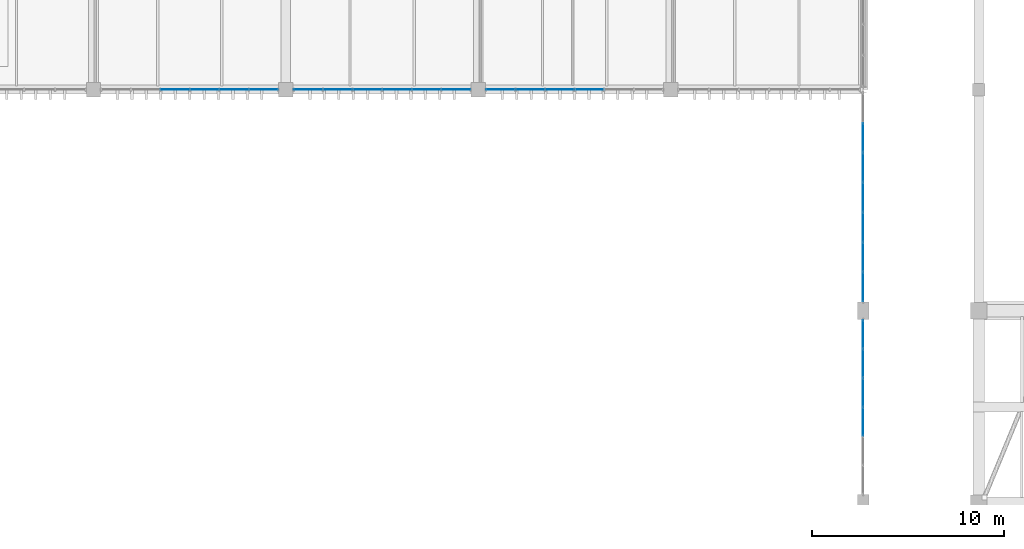
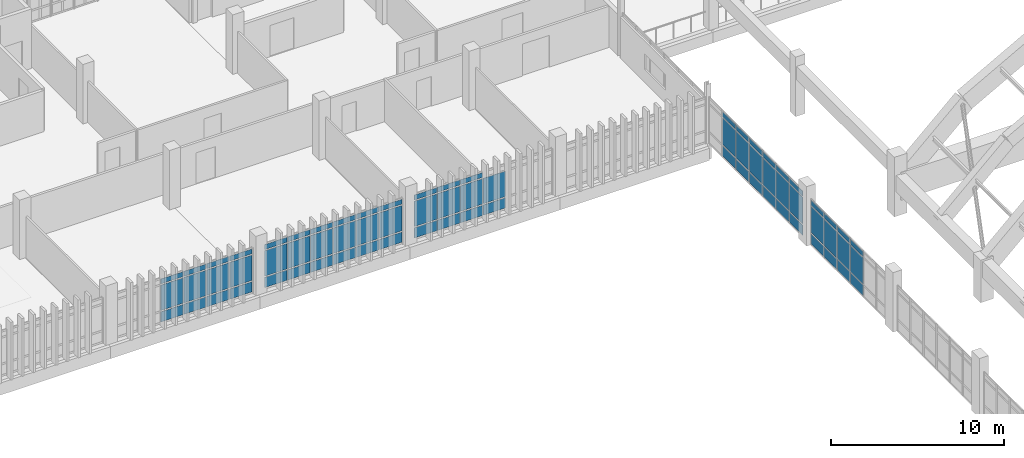
# One storey, part 95 of 111: 71 plates, 5 elements without a shape of their own.
"""IFC4 building model written with IfcOpenShell, lengths in metres."""

import ifcopenshell
import ifcopenshell.guid

model = None  # the IFC model being written
_history = None  # IfcOwnerHistory: only IFC2X3 demands one
_inside = {}  # id of a spatial element -> (the spatial element, [elements in it])
_under = {}  # id of a project, library or spatial element -> (it, [spatial elements below it])
_declared = {}  # id of a project -> (the project, [libraries it declares])
_typed = {}  # id of a type object -> (the type object, [elements of that type])
_made_of = {}  # id of a material, layer set ... -> (it, [elements and type objects made of it])


def new_model(schema):
    """Start an empty IFC model of exactly this schema.

    Asked for "IFC4X3", IfcOpenShell would pick the latest addendum, in which some entities
    have other attributes; the version numbers below select the first issue.
    IFC2X3 requires an IfcOwnerHistory on every rooted entity: one is made here for all.
    """
    global model, _history
    if schema == "IFC4X3":
        model = ifcopenshell.file(schema_version=(4, 3, 0, 0))
    else:
        model = ifcopenshell.file(schema=schema)
    _inside.clear()
    _under.clear()
    _declared.clear()
    _typed.clear()
    _made_of.clear()
    _history = None
    if model.schema == "IFC2X3":
        org = make("IfcOrganization", Name="unknown")
        user = make(
            "IfcPersonAndOrganization",
            ThePerson=make("IfcPerson", FamilyName="unknown"),
            TheOrganization=org,
        )
        app = make(
            "IfcApplication",
            ApplicationDeveloper=org,
            Version="unknown",
            ApplicationFullName="unknown",
            ApplicationIdentifier="unknown",
        )
        _history = make(
            "IfcOwnerHistory",
            OwningUser=user,
            OwningApplication=app,
            ChangeAction="ADDED",
            CreationDate=0,
        )
    return model


def make(cls, **values):
    """One entity of the class cls with the attributes given. An attribute that is None is left unset."""
    return model.create_entity(
        cls, **{name: value for name, value in values.items() if value is not None}
    )


def rooted(cls, **values):
    """An entity with a GlobalId (a new one), such as an element, a storey or a relation."""
    return make(cls, GlobalId=ifcopenshell.guid.new(), OwnerHistory=_history, **values)


def si_unit(unit_type, name, prefix=None):
    """IfcSIUnit, for example si_unit("LENGTHUNIT", "METRE", prefix="MILLI")."""
    return make("IfcSIUnit", UnitType=unit_type, Prefix=prefix, Name=name)


def assignment(units):
    """IfcUnitAssignment: the units of a project."""
    return None if units is None else make("IfcUnitAssignment", Units=units)


def point(xyz):
    """IfcCartesianPoint."""
    return None if xyz is None else make("IfcCartesianPoint", Coordinates=xyz)


def direction(xyz):
    """IfcDirection."""
    return None if xyz is None else make("IfcDirection", DirectionRatios=xyz)


def frame(location, z_axis=None, x_axis=None):
    """IfcAxis2Placement3D, a coordinate frame: its origin and axes. An axis left out is left unset."""
    return make(
        "IfcAxis2Placement3D",
        Location=point(location),
        Axis=direction(z_axis),
        RefDirection=direction(x_axis),
    )


def frame_2d(location, x_axis=None):
    """IfcAxis2Placement2D, a coordinate frame in the plane: its origin and x axis."""
    return make(
        "IfcAxis2Placement2D", Location=point(location), RefDirection=direction(x_axis)
    )


def origin():
    """The frame at (0, 0, 0) with its axes left unset."""
    return frame((0.0, 0.0, 0.0))


def origin_2d():
    """The frame at (0, 0) in the plane with its x axis left unset."""
    return frame_2d((0.0, 0.0))


def place(relative_to, where):
    """IfcLocalPlacement: puts the frame where relative to a parent placement (None: the world)."""
    return make(
        "IfcLocalPlacement", PlacementRelTo=relative_to, RelativePlacement=where
    )


def context(
    kind, dimensions, precision=None, world=None, true_north=None, identifier=None
):
    """IfcGeometricRepresentationContext, for example the 3D "Model" context."""
    return make(
        "IfcGeometricRepresentationContext",
        ContextIdentifier=identifier,
        ContextType=kind,
        CoordinateSpaceDimension=dimensions,
        Precision=precision,
        WorldCoordinateSystem=world,
        TrueNorth=true_north,
    )


def subcontext(parent, identifier, kind, view, scale=None):
    """IfcGeometricRepresentationSubContext, for example "Body" below "Model"."""
    return make(
        "IfcGeometricRepresentationSubContext",
        ContextIdentifier=identifier,
        ContextType=kind,
        ParentContext=parent,
        TargetScale=scale,
        TargetView=view,
    )


def project(units=None, contexts=None):
    """IfcProject with its units and contexts."""
    return rooted(
        "IfcProject",
        Name="project",
        RepresentationContexts=contexts,
        UnitsInContext=assignment(units),
    )


def spatial(cls, under=None, at=None, **own):
    """A site, building, storey or space (cls), placed at a placement, below another one or the project."""
    s = rooted(cls, ObjectPlacement=at, **own)
    if under is not None:
        _under.setdefault(under.id(), (under, []))[1].append(s)
    return s


def profile(cls, at=None, kind="AREA", **sizes):
    """A parametric profile (cls). Its sizes go by their IFC names, for example OverallWidth=200.0."""
    return make(cls, ProfileType=kind, Position=at, **sizes)


def rectangle(**sizes):
    """IfcRectangleProfileDef."""
    return profile("IfcRectangleProfileDef", **sizes)


def extrude(swept, where, along, depth):
    """IfcExtrudedAreaSolid: the profile swept, set in the frame where, extruded along a direction by depth."""
    return make(
        "IfcExtrudedAreaSolid",
        SweptArea=swept,
        Position=where,
        ExtrudedDirection=direction(along),
        Depth=depth,
    )


def shape(context_of_items, identifier, shape_type, items):
    """IfcShapeRepresentation: the items that make up one representation, for example the "Body"."""
    return make(
        "IfcShapeRepresentation",
        ContextOfItems=context_of_items,
        RepresentationIdentifier=identifier,
        RepresentationType=shape_type,
        Items=items,
    )


def material(Name=None, Category=None):
    """IfcMaterial."""
    return make("IfcMaterial", Name=Name, Category=Category)


def layer(
    of_material, thickness, ventilated=None, Name=None, Category=None, Priority=None
):
    """IfcMaterialLayer: one layer of a wall or slab, of a material (None: an air gap)."""
    return make(
        "IfcMaterialLayer",
        Material=of_material,
        LayerThickness=thickness,
        IsVentilated=ventilated,
        Name=Name,
        Category=Category,
        Priority=Priority,
    )


def layer_set(layers, Name=None):
    """IfcMaterialLayerSet."""
    return make("IfcMaterialLayerSet", MaterialLayers=layers, LayerSetName=Name)


def made_of(thing, what):
    """Note that an element or type object is made of a material, layer set ...; save() writes the relation."""
    if what is not None:
        _made_of.setdefault(what.id(), (what, []))[1].append(thing)
    return thing


def type_object(cls, material=None, **own):
    """A type object (cls), such as IfcWallType, which elements share."""
    return made_of(rooted(cls, **own), material)


def element(
    cls,
    number,
    at=None,
    inside=None,
    cuts=None,
    type_object=None,
    material=None,
    context=None,
    identifier="Body",
    shape_type=None,
    held_by="IfcProductDefinitionShape",
    body=None,
    shapes=None,
    **own,
):
    """One element of the class cls, such as IfcWall. Its Tag is "e" and its number.

    at: its placement. inside: the storey or other place that contains it. cuts: it is an
    opening in that element (IfcRelVoidsElement). A single representation is given by context,
    identifier, shape_type and body (its items); several are given by shapes. held_by: the class
    of the entity that holds the representations. save() writes the other relations.
    """
    e = rooted(cls, Tag="e%d" % number, ObjectPlacement=at, **own)
    if body is not None:
        shapes = [shape(context, identifier, shape_type, body)]
    if shapes is not None:
        e.Representation = make(held_by, Representations=shapes)
    if inside is not None:
        _inside.setdefault(inside.id(), (inside, []))[1].append(e)
    if cuts is not None:
        rooted(
            "IfcRelVoidsElement", RelatingBuildingElement=cuts, RelatedOpeningElement=e
        )
    if type_object is not None:
        _typed.setdefault(type_object.id(), (type_object, []))[1].append(e)
    return made_of(e, material)


def aggregate(whole, parts):
    """IfcRelAggregates: a whole, such as a stair, and the parts it consists of."""
    return rooted("IfcRelAggregates", RelatingObject=whole, RelatedObjects=parts)


def save(model, path):
    """Write the relations noted so far, then the file.

    IfcRelAggregates (storeys below a building ...), IfcRelContainedInSpatialStructure (elements
    in a storey), IfcRelDefinesByType, IfcRelAssociatesMaterial and IfcRelDeclares: one each for
    every whole, place, type object, material and project.
    """
    for whole, parts in _under.values():
        aggregate(whole, parts)
    for where, things in _inside.values():
        rooted(
            "IfcRelContainedInSpatialStructure",
            RelatedElements=things,
            RelatingStructure=where,
        )
    for kind, things in _typed.values():
        rooted("IfcRelDefinesByType", RelatedObjects=things, RelatingType=kind)
    for what, things in _made_of.values():
        rooted("IfcRelAssociatesMaterial", RelatedObjects=things, RelatingMaterial=what)
    for by, libraries in _declared.values():
        rooted("IfcRelDeclares", RelatingContext=by, RelatedDefinitions=libraries)
    model.write(path)


model = new_model("IFC4")

# Units and contexts
model_context = context("Model", 3, precision=1e-05, world=origin(), true_north=direction((0.0, 1.0)))
body_context = subcontext(model_context, "Body", "Model", "MODEL_VIEW")
ifc_project = project(units=[si_unit("LENGTHUNIT", "METRE"), si_unit("AREAUNIT", "SQUARE_METRE"), si_unit("VOLUMEUNIT", "CUBIC_METRE"), si_unit("PLANEANGLEUNIT", "RADIAN"), si_unit("MASSUNIT", "GRAM", prefix="KILO")], contexts=[model_context])

# Site, building, storey
site_placement = place(None, origin())
site = spatial("IfcSite", under=ifc_project, at=site_placement, CompositionType="ELEMENT")
building_placement = place(site_placement, origin())
building = spatial("IfcBuilding", under=site, at=building_placement, Name="Mersad Railyard Sports Hall", CompositionType="ELEMENT")
storey_placement = place(building_placement, frame((0.0, 0.0, 9.0)))
storey = spatial("IfcBuildingStorey", under=building, at=storey_placement, Name="L02", CompositionType="ELEMENT", Elevation=9.0)

# Curtain wall, plates
ifc_material_1 = material(Name="Aluminium 6063-T6", Category="aluminium")
ifc_layer_1 = layer(ifc_material_1, 0.159912109375)
ifc_layer_set_1 = layer_set([ifc_layer_1], Name="Aluminium 6063-T6")
curtain_wall_type_1 = type_object("IfcCurtainWallType", Name="ARC-CW-CW17", PredefinedType="USERDEFINED", material=ifc_layer_set_1)
curtain_wall_1_placement = place(storey_placement, origin())
curtain_wall_1 = element("IfcCurtainWall", 1, at=curtain_wall_1_placement, inside=storey, type_object=curtain_wall_type_1, Name="Curtain wall CW17-0077", ObjectType="CURTAIN WALL", PredefinedType="USERDEFINED")
ifc_material_2 = material(Name="Solar-control glass", Category="glass")
ifc_layer_2 = layer(ifc_material_2, 0.028076171875)
ifc_layer_set_2 = layer_set([ifc_layer_2], Name="Solar-control glass")
plate_type = type_object("IfcPlateType", Name="ARC-CW-PNL01", PredefinedType="CURTAIN_PANEL", material=ifc_layer_set_2)
plate_1_placement = place(storey_placement, frame((131.0, 67.7451171875, 0.0849609375), z_axis=(0.0, 0.0, 1.0), x_axis=(0.0, 1.0, 0.0)))
plate_1 = element("IfcPlate", 2, at=plate_1_placement, type_object=plate_type, Name="CW17 Glazed panel 3-1", PredefinedType="CURTAIN_PANEL", context=body_context, shape_type="SweptSolid", body=[
    extrude(rectangle(XDim=1.466064453125, YDim=0.028076171875, at=origin_2d()), origin(), (0.0, 0.0, 1.0), 0.719970703125),
])
plate_2_placement = place(storey_placement, frame((131.0, 67.7451171875, 0.89501953125), z_axis=(0.0, 0.0, 1.0), x_axis=(0.0, 1.0, 0.0)))
plate_2 = element("IfcPlate", 3, at=plate_2_placement, type_object=plate_type, Name="CW17 Glazed panel 3-2", PredefinedType="CURTAIN_PANEL", context=body_context, shape_type="SweptSolid", body=[
    extrude(rectangle(XDim=1.466064453125, YDim=0.028076171875, at=origin_2d()), origin(), (0.0, 0.0, 1.0), 1.840087890625),
])
plate_3_placement = place(storey_placement, frame((131.0, 67.7451171875, 2.824951171875), z_axis=(0.0, 0.0, 1.0), x_axis=(0.0, 1.0, 0.0)))
plate_3 = element("IfcPlate", 4, at=plate_3_placement, type_object=plate_type, Name="CW17 Glazed panel 3-3", PredefinedType="CURTAIN_PANEL", context=body_context, shape_type="SweptSolid", body=[
    extrude(rectangle(XDim=1.466064453125, YDim=0.028076171875, at=origin_2d()), origin(), (0.0, 0.0, 1.0), 0.35009765625),
])
plate_4_placement = place(storey_placement, frame((131.0, 69.2548828125, 0.0849609375), z_axis=(0.0, 0.0, 1.0), x_axis=(0.0, 1.0, 0.0)))
plate_4 = element("IfcPlate", 5, at=plate_4_placement, type_object=plate_type, Name="CW17 Glazed panel 4-1", PredefinedType="CURTAIN_PANEL", context=body_context, shape_type="SweptSolid", body=[
    extrude(rectangle(XDim=1.466064453125, YDim=0.028076171875, at=origin_2d()), origin(), (0.0, 0.0, 1.0), 0.719970703125),
])
plate_5_placement = place(storey_placement, frame((131.0, 69.2548828125, 0.89501953125), z_axis=(0.0, 0.0, 1.0), x_axis=(0.0, 1.0, 0.0)))
plate_5 = element("IfcPlate", 6, at=plate_5_placement, type_object=plate_type, Name="CW17 Glazed panel 4-2", PredefinedType="CURTAIN_PANEL", context=body_context, shape_type="SweptSolid", body=[
    extrude(rectangle(XDim=1.466064453125, YDim=0.028076171875, at=origin_2d()), origin(), (0.0, 0.0, 1.0), 1.840087890625),
])
plate_6_placement = place(storey_placement, frame((131.0, 69.2548828125, 2.824951171875), z_axis=(0.0, 0.0, 1.0), x_axis=(0.0, 1.0, 0.0)))
plate_6 = element("IfcPlate", 7, at=plate_6_placement, type_object=plate_type, Name="CW17 Glazed panel 4-3", PredefinedType="CURTAIN_PANEL", context=body_context, shape_type="SweptSolid", body=[
    extrude(rectangle(XDim=1.466064453125, YDim=0.028076171875, at=origin_2d()), origin(), (0.0, 0.0, 1.0), 0.35009765625),
])
plate_7_placement = place(storey_placement, frame((131.0, 70.764892578125, 0.0849609375), z_axis=(0.0, 0.0, 1.0), x_axis=(0.0, 1.0, 0.0)))
plate_7 = element("IfcPlate", 8, at=plate_7_placement, type_object=plate_type, Name="CW17 Glazed panel 5-1", PredefinedType="CURTAIN_PANEL", context=body_context, shape_type="SweptSolid", body=[
    extrude(rectangle(XDim=1.466064453125, YDim=0.028076171875, at=origin_2d()), origin(), (0.0, 0.0, 1.0), 0.719970703125),
])
plate_8_placement = place(storey_placement, frame((131.0, 70.764892578125, 0.89501953125), z_axis=(0.0, 0.0, 1.0), x_axis=(0.0, 1.0, 0.0)))
plate_8 = element("IfcPlate", 9, at=plate_8_placement, type_object=plate_type, Name="CW17 Glazed panel 5-2", PredefinedType="CURTAIN_PANEL", context=body_context, shape_type="SweptSolid", body=[
    extrude(rectangle(XDim=1.466064453125, YDim=0.028076171875, at=origin_2d()), origin(), (0.0, 0.0, 1.0), 1.840087890625),
])
plate_9_placement = place(storey_placement, frame((131.0, 70.764892578125, 2.824951171875), z_axis=(0.0, 0.0, 1.0), x_axis=(0.0, 1.0, 0.0)))
plate_9 = element("IfcPlate", 10, at=plate_9_placement, type_object=plate_type, Name="CW17 Glazed panel 5-3", PredefinedType="CURTAIN_PANEL", context=body_context, shape_type="SweptSolid", body=[
    extrude(rectangle(XDim=1.466064453125, YDim=0.028076171875, at=origin_2d()), origin(), (0.0, 0.0, 1.0), 0.35009765625),
])
plate_10_placement = place(storey_placement, frame((131.0, 72.27490234375, 0.0849609375), z_axis=(0.0, 0.0, 1.0), x_axis=(0.0, 1.0, 0.0)))
plate_10 = element("IfcPlate", 11, at=plate_10_placement, type_object=plate_type, Name="CW17 Glazed panel 6-1", PredefinedType="CURTAIN_PANEL", context=body_context, shape_type="SweptSolid", body=[
    extrude(rectangle(XDim=1.466064453125, YDim=0.028076171875, at=origin_2d()), origin(), (0.0, 0.0, 1.0), 0.719970703125),
])
plate_11_placement = place(storey_placement, frame((131.0, 72.27490234375, 0.89501953125), z_axis=(0.0, 0.0, 1.0), x_axis=(0.0, 1.0, 0.0)))
plate_11 = element("IfcPlate", 12, at=plate_11_placement, type_object=plate_type, Name="CW17 Glazed panel 6-2", PredefinedType="CURTAIN_PANEL", context=body_context, shape_type="SweptSolid", body=[
    extrude(rectangle(XDim=1.466064453125, YDim=0.028076171875, at=origin_2d()), origin(), (0.0, 0.0, 1.0), 1.840087890625),
])
plate_12_placement = place(storey_placement, frame((131.0, 72.27490234375, 2.824951171875), z_axis=(0.0, 0.0, 1.0), x_axis=(0.0, 1.0, 0.0)))
plate_12 = element("IfcPlate", 13, at=plate_12_placement, type_object=plate_type, Name="CW17 Glazed panel 6-3", PredefinedType="CURTAIN_PANEL", context=body_context, shape_type="SweptSolid", body=[
    extrude(rectangle(XDim=1.466064453125, YDim=0.028076171875, at=origin_2d()), origin(), (0.0, 0.0, 1.0), 0.35009765625),
])
aggregate(curtain_wall_1, [plate_1, plate_2, plate_3, plate_4, plate_5, plate_6, plate_7, plate_8, plate_9, plate_10, plate_11, plate_12])

ifc_layer_3 = layer(ifc_material_1, 0.159912109375)
ifc_layer_set_3 = layer_set([ifc_layer_3], Name="Aluminium 6063-T6")
curtain_wall_type_2 = type_object("IfcCurtainWallType", Name="ARC-CW-CW20", PredefinedType="USERDEFINED", material=ifc_layer_set_3)
curtain_wall_2_placement = place(storey_placement, origin())
curtain_wall_2 = element("IfcCurtainWall", 14, at=curtain_wall_2_placement, inside=storey, type_object=curtain_wall_type_2, Name="Curtain wall CW20-0079", ObjectType="CURTAIN WALL", PredefinedType="USERDEFINED")
plate_13_placement = place(storey_placement, frame((131.0, 74.74560546875, 0.0849609375), z_axis=(0.0, 0.0, 1.0), x_axis=(0.0, 1.0, 0.0)))
plate_13 = element("IfcPlate", 15, at=plate_13_placement, type_object=plate_type, Name="CW20 Glazed panel 1-1", PredefinedType="CURTAIN_PANEL", context=body_context, shape_type="SweptSolid", body=[
    extrude(rectangle(XDim=1.50732421875, YDim=0.028076171875, at=origin_2d()), origin(), (0.0, 0.0, 1.0), 0.719970703125),
])
plate_14_placement = place(storey_placement, frame((131.0, 74.74560546875, 0.89501953125), z_axis=(0.0, 0.0, 1.0), x_axis=(0.0, 1.0, 0.0)))
plate_14 = element("IfcPlate", 16, at=plate_14_placement, type_object=plate_type, Name="CW20 Glazed panel 1-2", PredefinedType="CURTAIN_PANEL", context=body_context, shape_type="SweptSolid", body=[
    extrude(rectangle(XDim=1.50732421875, YDim=0.028076171875, at=origin_2d()), origin(), (0.0, 0.0, 1.0), 1.8798828125),
])
plate_15_placement = place(storey_placement, frame((131.0, 74.74560546875, 2.864990234375), z_axis=(0.0, 0.0, 1.0), x_axis=(0.0, 1.0, 0.0)))
plate_15 = element("IfcPlate", 17, at=plate_15_placement, type_object=plate_type, Name="CW20 Glazed panel 1-3", PredefinedType="CURTAIN_PANEL", context=body_context, shape_type="SweptSolid", body=[
    extrude(rectangle(XDim=1.50732421875, YDim=0.028076171875, at=origin_2d()), origin(), (0.0, 0.0, 1.0), 0.35009765625),
])
plate_16_placement = place(storey_placement, frame((131.0, 76.297119140625, 0.0849609375), z_axis=(0.0, 0.0, 1.0), x_axis=(0.0, 1.0, 0.0)))
plate_16 = element("IfcPlate", 18, at=plate_16_placement, type_object=plate_type, Name="CW20 Glazed panel 2-1", PredefinedType="CURTAIN_PANEL", context=body_context, shape_type="SweptSolid", body=[
    extrude(rectangle(XDim=1.50732421875, YDim=0.028076171875, at=origin_2d()), origin(), (0.0, 0.0, 1.0), 0.719970703125),
])
plate_17_placement = place(storey_placement, frame((131.0, 76.297119140625, 0.89501953125), z_axis=(0.0, 0.0, 1.0), x_axis=(0.0, 1.0, 0.0)))
plate_17 = element("IfcPlate", 19, at=plate_17_placement, type_object=plate_type, Name="CW20 Glazed panel 2-2", PredefinedType="CURTAIN_PANEL", context=body_context, shape_type="SweptSolid", body=[
    extrude(rectangle(XDim=1.50732421875, YDim=0.028076171875, at=origin_2d()), origin(), (0.0, 0.0, 1.0), 1.8798828125),
])
plate_18_placement = place(storey_placement, frame((131.0, 76.297119140625, 2.864990234375), z_axis=(0.0, 0.0, 1.0), x_axis=(0.0, 1.0, 0.0)))
plate_18 = element("IfcPlate", 20, at=plate_18_placement, type_object=plate_type, Name="CW20 Glazed panel 2-3", PredefinedType="CURTAIN_PANEL", context=body_context, shape_type="SweptSolid", body=[
    extrude(rectangle(XDim=1.50732421875, YDim=0.028076171875, at=origin_2d()), origin(), (0.0, 0.0, 1.0), 0.35009765625),
])
plate_19_placement = place(storey_placement, frame((131.0, 77.8486328125, 0.0849609375), z_axis=(0.0, 0.0, 1.0), x_axis=(0.0, 1.0, 0.0)))
plate_19 = element("IfcPlate", 21, at=plate_19_placement, type_object=plate_type, Name="CW20 Glazed panel 3-1", PredefinedType="CURTAIN_PANEL", context=body_context, shape_type="SweptSolid", body=[
    extrude(rectangle(XDim=1.50732421875, YDim=0.028076171875, at=origin_2d()), origin(), (0.0, 0.0, 1.0), 0.719970703125),
])
plate_20_placement = place(storey_placement, frame((131.0, 77.8486328125, 0.89501953125), z_axis=(0.0, 0.0, 1.0), x_axis=(0.0, 1.0, 0.0)))
plate_20 = element("IfcPlate", 22, at=plate_20_placement, type_object=plate_type, Name="CW20 Glazed panel 3-2", PredefinedType="CURTAIN_PANEL", context=body_context, shape_type="SweptSolid", body=[
    extrude(rectangle(XDim=1.50732421875, YDim=0.028076171875, at=origin_2d()), origin(), (0.0, 0.0, 1.0), 1.8798828125),
])
plate_21_placement = place(storey_placement, frame((131.0, 77.8486328125, 2.864990234375), z_axis=(0.0, 0.0, 1.0), x_axis=(0.0, 1.0, 0.0)))
plate_21 = element("IfcPlate", 23, at=plate_21_placement, type_object=plate_type, Name="CW20 Glazed panel 3-3", PredefinedType="CURTAIN_PANEL", context=body_context, shape_type="SweptSolid", body=[
    extrude(rectangle(XDim=1.50732421875, YDim=0.028076171875, at=origin_2d()), origin(), (0.0, 0.0, 1.0), 0.35009765625),
])
plate_22_placement = place(storey_placement, frame((131.0, 79.39990234375, 0.0849609375), z_axis=(0.0, 0.0, 1.0), x_axis=(0.0, 1.0, 0.0)))
plate_22 = element("IfcPlate", 24, at=plate_22_placement, type_object=plate_type, Name="CW20 Glazed panel 4-1", PredefinedType="CURTAIN_PANEL", context=body_context, shape_type="SweptSolid", body=[
    extrude(rectangle(XDim=1.50732421875, YDim=0.028076171875, at=origin_2d()), origin(), (0.0, 0.0, 1.0), 0.719970703125),
])
plate_23_placement = place(storey_placement, frame((131.0, 79.39990234375, 0.89501953125), z_axis=(0.0, 0.0, 1.0), x_axis=(0.0, 1.0, 0.0)))
plate_23 = element("IfcPlate", 25, at=plate_23_placement, type_object=plate_type, Name="CW20 Glazed panel 4-2", PredefinedType="CURTAIN_PANEL", context=body_context, shape_type="SweptSolid", body=[
    extrude(rectangle(XDim=1.50732421875, YDim=0.028076171875, at=origin_2d()), origin(), (0.0, 0.0, 1.0), 1.8798828125),
])
plate_24_placement = place(storey_placement, frame((131.0, 79.39990234375, 2.864990234375), z_axis=(0.0, 0.0, 1.0), x_axis=(0.0, 1.0, 0.0)))
plate_24 = element("IfcPlate", 26, at=plate_24_placement, type_object=plate_type, Name="CW20 Glazed panel 4-3", PredefinedType="CURTAIN_PANEL", context=body_context, shape_type="SweptSolid", body=[
    extrude(rectangle(XDim=1.50732421875, YDim=0.028076171875, at=origin_2d()), origin(), (0.0, 0.0, 1.0), 0.35009765625),
])
plate_25_placement = place(storey_placement, frame((131.0, 80.951416015625, 0.0849609375), z_axis=(0.0, 0.0, 1.0), x_axis=(0.0, 1.0, 0.0)))
plate_25 = element("IfcPlate", 27, at=plate_25_placement, type_object=plate_type, Name="CW20 Glazed panel 5-1", PredefinedType="CURTAIN_PANEL", context=body_context, shape_type="SweptSolid", body=[
    extrude(rectangle(XDim=1.50732421875, YDim=0.028076171875, at=origin_2d()), origin(), (0.0, 0.0, 1.0), 0.719970703125),
])
plate_26_placement = place(storey_placement, frame((131.0, 80.951416015625, 0.89501953125), z_axis=(0.0, 0.0, 1.0), x_axis=(0.0, 1.0, 0.0)))
plate_26 = element("IfcPlate", 28, at=plate_26_placement, type_object=plate_type, Name="CW20 Glazed panel 5-2", PredefinedType="CURTAIN_PANEL", context=body_context, shape_type="SweptSolid", body=[
    extrude(rectangle(XDim=1.50732421875, YDim=0.028076171875, at=origin_2d()), origin(), (0.0, 0.0, 1.0), 1.8798828125),
])
plate_27_placement = place(storey_placement, frame((131.0, 80.951416015625, 2.864990234375), z_axis=(0.0, 0.0, 1.0), x_axis=(0.0, 1.0, 0.0)))
plate_27 = element("IfcPlate", 29, at=plate_27_placement, type_object=plate_type, Name="CW20 Glazed panel 5-3", PredefinedType="CURTAIN_PANEL", context=body_context, shape_type="SweptSolid", body=[
    extrude(rectangle(XDim=1.50732421875, YDim=0.028076171875, at=origin_2d()), origin(), (0.0, 0.0, 1.0), 0.35009765625),
])
plate_28_placement = place(storey_placement, frame((131.0, 82.5029296875, 0.0849609375), z_axis=(0.0, 0.0, 1.0), x_axis=(0.0, 1.0, 0.0)))
plate_28 = element("IfcPlate", 30, at=plate_28_placement, type_object=plate_type, Name="CW20 Glazed panel 6-1", PredefinedType="CURTAIN_PANEL", context=body_context, shape_type="SweptSolid", body=[
    extrude(rectangle(XDim=1.50732421875, YDim=0.028076171875, at=origin_2d()), origin(), (0.0, 0.0, 1.0), 0.719970703125),
])
plate_29_placement = place(storey_placement, frame((131.0, 82.5029296875, 0.89501953125), z_axis=(0.0, 0.0, 1.0), x_axis=(0.0, 1.0, 0.0)))
plate_29 = element("IfcPlate", 31, at=plate_29_placement, type_object=plate_type, Name="CW20 Glazed panel 6-2", PredefinedType="CURTAIN_PANEL", context=body_context, shape_type="SweptSolid", body=[
    extrude(rectangle(XDim=1.50732421875, YDim=0.028076171875, at=origin_2d()), origin(), (0.0, 0.0, 1.0), 1.8798828125),
])
plate_30_placement = place(storey_placement, frame((131.0, 82.5029296875, 2.864990234375), z_axis=(0.0, 0.0, 1.0), x_axis=(0.0, 1.0, 0.0)))
plate_30 = element("IfcPlate", 32, at=plate_30_placement, type_object=plate_type, Name="CW20 Glazed panel 6-3", PredefinedType="CURTAIN_PANEL", context=body_context, shape_type="SweptSolid", body=[
    extrude(rectangle(XDim=1.50732421875, YDim=0.028076171875, at=origin_2d()), origin(), (0.0, 0.0, 1.0), 0.35009765625),
])
aggregate(curtain_wall_2, [plate_13, plate_14, plate_15, plate_16, plate_17, plate_18, plate_19, plate_20, plate_21, plate_22, plate_23, plate_24, plate_25, plate_26, plate_27, plate_28, plate_29, plate_30])

ifc_layer_4 = layer(ifc_material_1, 0.159912109375)
ifc_layer_set_4 = layer_set([ifc_layer_4], Name="Aluminium 6063-T6")
curtain_wall_type_3 = type_object("IfcCurtainWallType", Name="ARC-CW-CW55", PredefinedType="USERDEFINED", material=ifc_layer_set_4)
curtain_wall_3_placement = place(storey_placement, origin())
curtain_wall_3 = element("IfcCurtainWall", 33, at=curtain_wall_3_placement, inside=storey, type_object=curtain_wall_type_3, Name="Curtain wall CW55-0147", ObjectType="CURTAIN WALL", PredefinedType="USERDEFINED")
plate_31_placement = place(storey_placement, frame((99.83740234375, 85.0, 0.0849609375), z_axis=(0.0, 0.0, 1.0), x_axis=(-1.0, 0.0, 0.0)))
plate_31 = element("IfcPlate", 34, at=plate_31_placement, type_object=plate_type, Name="CW55 Glazed panel 1-1", PredefinedType="CURTAIN_PANEL", context=body_context, shape_type="SweptSolid", body=[
    extrude(rectangle(XDim=1.490966796875, YDim=0.028076171875, at=origin_2d()), origin(), (0.0, 0.0, 1.0), 0.719970703125),
])
plate_32_placement = place(storey_placement, frame((99.83740234375, 85.0, 0.89501953125), z_axis=(0.0, 0.0, 1.0), x_axis=(-1.0, 0.0, 0.0)))
plate_32 = element("IfcPlate", 35, at=plate_32_placement, type_object=plate_type, Name="CW55 Glazed panel 1-2", PredefinedType="CURTAIN_PANEL", context=body_context, shape_type="SweptSolid", body=[
    extrude(rectangle(XDim=1.490966796875, YDim=0.028076171875, at=origin_2d()), origin(), (0.0, 0.0, 1.0), 1.7900390625),
])
plate_33_placement = place(storey_placement, frame((99.83740234375, 85.0, 2.77490234375), z_axis=(0.0, 0.0, 1.0), x_axis=(-1.0, 0.0, 0.0)))
plate_33 = element("IfcPlate", 36, at=plate_33_placement, type_object=plate_type, Name="CW55 Glazed panel 1-3", PredefinedType="CURTAIN_PANEL", context=body_context, shape_type="SweptSolid", body=[
    extrude(rectangle(XDim=1.490966796875, YDim=0.028076171875, at=origin_2d()), origin(), (0.0, 0.0, 1.0), 0.35009765625),
])
plate_34_placement = place(storey_placement, frame((98.302490234375, 85.0, 0.0849609375), z_axis=(0.0, 0.0, 1.0), x_axis=(-1.0, 0.0, 0.0)))
plate_34 = element("IfcPlate", 37, at=plate_34_placement, type_object=plate_type, Name="CW55 Glazed panel 2-1", PredefinedType="CURTAIN_PANEL", context=body_context, shape_type="SweptSolid", body=[
    extrude(rectangle(XDim=1.490966796875, YDim=0.028076171875, at=origin_2d()), origin(), (0.0, 0.0, 1.0), 0.719970703125),
])
plate_35_placement = place(storey_placement, frame((98.302490234375, 85.0, 0.89501953125), z_axis=(0.0, 0.0, 1.0), x_axis=(-1.0, 0.0, 0.0)))
plate_35 = element("IfcPlate", 38, at=plate_35_placement, type_object=plate_type, Name="CW55 Glazed panel 2-2", PredefinedType="CURTAIN_PANEL", context=body_context, shape_type="SweptSolid", body=[
    extrude(rectangle(XDim=1.490966796875, YDim=0.028076171875, at=origin_2d()), origin(), (0.0, 0.0, 1.0), 1.7900390625),
])
plate_36_placement = place(storey_placement, frame((98.302490234375, 85.0, 2.77490234375), z_axis=(0.0, 0.0, 1.0), x_axis=(-1.0, 0.0, 0.0)))
plate_36 = element("IfcPlate", 39, at=plate_36_placement, type_object=plate_type, Name="CW55 Glazed panel 2-3", PredefinedType="CURTAIN_PANEL", context=body_context, shape_type="SweptSolid", body=[
    extrude(rectangle(XDim=1.490966796875, YDim=0.028076171875, at=origin_2d()), origin(), (0.0, 0.0, 1.0), 0.35009765625),
])
plate_37_placement = place(storey_placement, frame((96.767578125, 85.0, 0.0849609375), z_axis=(0.0, 0.0, 1.0), x_axis=(-1.0, 0.0, 0.0)))
plate_37 = element("IfcPlate", 40, at=plate_37_placement, type_object=plate_type, Name="CW55 Glazed panel 3-1", PredefinedType="CURTAIN_PANEL", context=body_context, shape_type="SweptSolid", body=[
    extrude(rectangle(XDim=1.490966796875, YDim=0.028076171875, at=origin_2d()), origin(), (0.0, 0.0, 1.0), 0.719970703125),
])
plate_38_placement = place(storey_placement, frame((96.767578125, 85.0, 0.89501953125), z_axis=(0.0, 0.0, 1.0), x_axis=(-1.0, 0.0, 0.0)))
plate_38 = element("IfcPlate", 41, at=plate_38_placement, type_object=plate_type, Name="CW55 Glazed panel 3-2", PredefinedType="CURTAIN_PANEL", context=body_context, shape_type="SweptSolid", body=[
    extrude(rectangle(XDim=1.490966796875, YDim=0.028076171875, at=origin_2d()), origin(), (0.0, 0.0, 1.0), 1.7900390625),
])
plate_39_placement = place(storey_placement, frame((96.767578125, 85.0, 2.77490234375), z_axis=(0.0, 0.0, 1.0), x_axis=(-1.0, 0.0, 0.0)))
plate_39 = element("IfcPlate", 42, at=plate_39_placement, type_object=plate_type, Name="CW55 Glazed panel 3-3", PredefinedType="CURTAIN_PANEL", context=body_context, shape_type="SweptSolid", body=[
    extrude(rectangle(XDim=1.490966796875, YDim=0.028076171875, at=origin_2d()), origin(), (0.0, 0.0, 1.0), 0.35009765625),
])
plate_40_placement = place(storey_placement, frame((95.232421875, 85.0, 0.0849609375), z_axis=(0.0, 0.0, 1.0), x_axis=(-1.0, 0.0, 0.0)))
plate_40 = element("IfcPlate", 43, at=plate_40_placement, type_object=plate_type, Name="CW55 Glazed panel 4-1", PredefinedType="CURTAIN_PANEL", context=body_context, shape_type="SweptSolid", body=[
    extrude(rectangle(XDim=1.490966796875, YDim=0.028076171875, at=origin_2d()), origin(), (0.0, 0.0, 1.0), 0.719970703125),
])
plate_41_placement = place(storey_placement, frame((95.232421875, 85.0, 0.89501953125), z_axis=(0.0, 0.0, 1.0), x_axis=(-1.0, 0.0, 0.0)))
plate_41 = element("IfcPlate", 44, at=plate_41_placement, type_object=plate_type, Name="CW55 Glazed panel 4-2", PredefinedType="CURTAIN_PANEL", context=body_context, shape_type="SweptSolid", body=[
    extrude(rectangle(XDim=1.490966796875, YDim=0.028076171875, at=origin_2d()), origin(), (0.0, 0.0, 1.0), 1.7900390625),
])
plate_42_placement = place(storey_placement, frame((95.232421875, 85.0, 2.77490234375), z_axis=(0.0, 0.0, 1.0), x_axis=(-1.0, 0.0, 0.0)))
plate_42 = element("IfcPlate", 45, at=plate_42_placement, type_object=plate_type, Name="CW55 Glazed panel 4-3", PredefinedType="CURTAIN_PANEL", context=body_context, shape_type="SweptSolid", body=[
    extrude(rectangle(XDim=1.490966796875, YDim=0.028076171875, at=origin_2d()), origin(), (0.0, 0.0, 1.0), 0.35009765625),
])
aggregate(curtain_wall_3, [plate_31, plate_32, plate_33, plate_34, plate_35, plate_36, plate_37, plate_38, plate_39, plate_40, plate_41, plate_42])

curtain_wall_4_placement = place(storey_placement, origin())
curtain_wall_4 = element("IfcCurtainWall", 46, at=curtain_wall_4_placement, inside=storey, type_object=curtain_wall_type_3, Name="Curtain wall CW55-0148", ObjectType="CURTAIN WALL", PredefinedType="USERDEFINED")
plate_43_placement = place(storey_placement, frame((109.83740234375, 85.0, 0.0849609375), z_axis=(0.0, 0.0, 1.0), x_axis=(-1.0, 0.0, 0.0)))
plate_43 = element("IfcPlate", 47, at=plate_43_placement, type_object=plate_type, Name="CW55 Glazed panel 1-1", PredefinedType="CURTAIN_PANEL", context=body_context, shape_type="SweptSolid", body=[
    extrude(rectangle(XDim=1.490966796875, YDim=0.028076171875, at=origin_2d()), origin(), (0.0, 0.0, 1.0), 0.719970703125),
])
plate_44_placement = place(storey_placement, frame((109.83740234375, 85.0, 0.89501953125), z_axis=(0.0, 0.0, 1.0), x_axis=(-1.0, 0.0, 0.0)))
plate_44 = element("IfcPlate", 48, at=plate_44_placement, type_object=plate_type, Name="CW55 Glazed panel 1-2", PredefinedType="CURTAIN_PANEL", context=body_context, shape_type="SweptSolid", body=[
    extrude(rectangle(XDim=1.490966796875, YDim=0.028076171875, at=origin_2d()), origin(), (0.0, 0.0, 1.0), 1.7900390625),
])
plate_45_placement = place(storey_placement, frame((109.83740234375, 85.0, 2.77490234375), z_axis=(0.0, 0.0, 1.0), x_axis=(-1.0, 0.0, 0.0)))
plate_45 = element("IfcPlate", 49, at=plate_45_placement, type_object=plate_type, Name="CW55 Glazed panel 1-3", PredefinedType="CURTAIN_PANEL", context=body_context, shape_type="SweptSolid", body=[
    extrude(rectangle(XDim=1.490966796875, YDim=0.028076171875, at=origin_2d()), origin(), (0.0, 0.0, 1.0), 0.35009765625),
])
plate_46_placement = place(storey_placement, frame((108.302490234375, 85.0, 0.0849609375), z_axis=(0.0, 0.0, 1.0), x_axis=(-1.0, 0.0, 0.0)))
plate_46 = element("IfcPlate", 50, at=plate_46_placement, type_object=plate_type, Name="CW55 Glazed panel 2-1", PredefinedType="CURTAIN_PANEL", context=body_context, shape_type="SweptSolid", body=[
    extrude(rectangle(XDim=1.490966796875, YDim=0.028076171875, at=origin_2d()), origin(), (0.0, 0.0, 1.0), 0.719970703125),
])
plate_47_placement = place(storey_placement, frame((108.302490234375, 85.0, 0.89501953125), z_axis=(0.0, 0.0, 1.0), x_axis=(-1.0, 0.0, 0.0)))
plate_47 = element("IfcPlate", 51, at=plate_47_placement, type_object=plate_type, Name="CW55 Glazed panel 2-2", PredefinedType="CURTAIN_PANEL", context=body_context, shape_type="SweptSolid", body=[
    extrude(rectangle(XDim=1.490966796875, YDim=0.028076171875, at=origin_2d()), origin(), (0.0, 0.0, 1.0), 1.7900390625),
])
plate_48_placement = place(storey_placement, frame((108.302490234375, 85.0, 2.77490234375), z_axis=(0.0, 0.0, 1.0), x_axis=(-1.0, 0.0, 0.0)))
plate_48 = element("IfcPlate", 52, at=plate_48_placement, type_object=plate_type, Name="CW55 Glazed panel 2-3", PredefinedType="CURTAIN_PANEL", context=body_context, shape_type="SweptSolid", body=[
    extrude(rectangle(XDim=1.490966796875, YDim=0.028076171875, at=origin_2d()), origin(), (0.0, 0.0, 1.0), 0.35009765625),
])
plate_49_placement = place(storey_placement, frame((106.767578125, 85.0, 0.0849609375), z_axis=(0.0, 0.0, 1.0), x_axis=(-1.0, 0.0, 0.0)))
plate_49 = element("IfcPlate", 53, at=plate_49_placement, type_object=plate_type, Name="CW55 Glazed panel 3-1", PredefinedType="CURTAIN_PANEL", context=body_context, shape_type="SweptSolid", body=[
    extrude(rectangle(XDim=1.490966796875, YDim=0.028076171875, at=origin_2d()), origin(), (0.0, 0.0, 1.0), 0.719970703125),
])
plate_50_placement = place(storey_placement, frame((106.767578125, 85.0, 0.89501953125), z_axis=(0.0, 0.0, 1.0), x_axis=(-1.0, 0.0, 0.0)))
plate_50 = element("IfcPlate", 54, at=plate_50_placement, type_object=plate_type, Name="CW55 Glazed panel 3-2", PredefinedType="CURTAIN_PANEL", context=body_context, shape_type="SweptSolid", body=[
    extrude(rectangle(XDim=1.490966796875, YDim=0.028076171875, at=origin_2d()), origin(), (0.0, 0.0, 1.0), 1.7900390625),
])
plate_51_placement = place(storey_placement, frame((106.767578125, 85.0, 2.77490234375), z_axis=(0.0, 0.0, 1.0), x_axis=(-1.0, 0.0, 0.0)))
plate_51 = element("IfcPlate", 55, at=plate_51_placement, type_object=plate_type, Name="CW55 Glazed panel 3-3", PredefinedType="CURTAIN_PANEL", context=body_context, shape_type="SweptSolid", body=[
    extrude(rectangle(XDim=1.490966796875, YDim=0.028076171875, at=origin_2d()), origin(), (0.0, 0.0, 1.0), 0.35009765625),
])
plate_52_placement = place(storey_placement, frame((105.232421875, 85.0, 0.0849609375), z_axis=(0.0, 0.0, 1.0), x_axis=(-1.0, 0.0, 0.0)))
plate_52 = element("IfcPlate", 56, at=plate_52_placement, type_object=plate_type, Name="CW55 Glazed panel 4-1", PredefinedType="CURTAIN_PANEL", context=body_context, shape_type="SweptSolid", body=[
    extrude(rectangle(XDim=1.490966796875, YDim=0.028076171875, at=origin_2d()), origin(), (0.0, 0.0, 1.0), 0.719970703125),
])
plate_53_placement = place(storey_placement, frame((105.232421875, 85.0, 0.89501953125), z_axis=(0.0, 0.0, 1.0), x_axis=(-1.0, 0.0, 0.0)))
plate_53 = element("IfcPlate", 57, at=plate_53_placement, type_object=plate_type, Name="CW55 Glazed panel 4-2", PredefinedType="CURTAIN_PANEL", context=body_context, shape_type="SweptSolid", body=[
    extrude(rectangle(XDim=1.490966796875, YDim=0.028076171875, at=origin_2d()), origin(), (0.0, 0.0, 1.0), 1.7900390625),
])
plate_54_placement = place(storey_placement, frame((105.232421875, 85.0, 2.77490234375), z_axis=(0.0, 0.0, 1.0), x_axis=(-1.0, 0.0, 0.0)))
plate_54 = element("IfcPlate", 58, at=plate_54_placement, type_object=plate_type, Name="CW55 Glazed panel 4-3", PredefinedType="CURTAIN_PANEL", context=body_context, shape_type="SweptSolid", body=[
    extrude(rectangle(XDim=1.490966796875, YDim=0.028076171875, at=origin_2d()), origin(), (0.0, 0.0, 1.0), 0.35009765625),
])
plate_55_placement = place(storey_placement, frame((103.697509765625, 85.0, 0.0849609375), z_axis=(0.0, 0.0, 1.0), x_axis=(-1.0, 0.0, 0.0)))
plate_55 = element("IfcPlate", 59, at=plate_55_placement, type_object=plate_type, Name="CW55 Glazed panel 5-1", PredefinedType="CURTAIN_PANEL", context=body_context, shape_type="SweptSolid", body=[
    extrude(rectangle(XDim=1.490966796875, YDim=0.028076171875, at=origin_2d()), origin(), (0.0, 0.0, 1.0), 0.719970703125),
])
plate_56_placement = place(storey_placement, frame((103.697509765625, 85.0, 0.89501953125), z_axis=(0.0, 0.0, 1.0), x_axis=(-1.0, 0.0, 0.0)))
plate_56 = element("IfcPlate", 60, at=plate_56_placement, type_object=plate_type, Name="CW55 Glazed panel 5-2", PredefinedType="CURTAIN_PANEL", context=body_context, shape_type="SweptSolid", body=[
    extrude(rectangle(XDim=1.490966796875, YDim=0.028076171875, at=origin_2d()), origin(), (0.0, 0.0, 1.0), 1.7900390625),
])
plate_57_placement = place(storey_placement, frame((103.697509765625, 85.0, 2.77490234375), z_axis=(0.0, 0.0, 1.0), x_axis=(-1.0, 0.0, 0.0)))
plate_57 = element("IfcPlate", 61, at=plate_57_placement, type_object=plate_type, Name="CW55 Glazed panel 5-3", PredefinedType="CURTAIN_PANEL", context=body_context, shape_type="SweptSolid", body=[
    extrude(rectangle(XDim=1.490966796875, YDim=0.028076171875, at=origin_2d()), origin(), (0.0, 0.0, 1.0), 0.35009765625),
])
plate_58_placement = place(storey_placement, frame((102.16259765625, 85.0, 0.0849609375), z_axis=(0.0, 0.0, 1.0), x_axis=(-1.0, 0.0, 0.0)))
plate_58 = element("IfcPlate", 62, at=plate_58_placement, type_object=plate_type, Name="CW55 Glazed panel 6-1", PredefinedType="CURTAIN_PANEL", context=body_context, shape_type="SweptSolid", body=[
    extrude(rectangle(XDim=1.490966796875, YDim=0.028076171875, at=origin_2d()), origin(), (0.0, 0.0, 1.0), 0.719970703125),
])
plate_59_placement = place(storey_placement, frame((102.16259765625, 85.0, 0.89501953125), z_axis=(0.0, 0.0, 1.0), x_axis=(-1.0, 0.0, 0.0)))
plate_59 = element("IfcPlate", 63, at=plate_59_placement, type_object=plate_type, Name="CW55 Glazed panel 6-2", PredefinedType="CURTAIN_PANEL", context=body_context, shape_type="SweptSolid", body=[
    extrude(rectangle(XDim=1.490966796875, YDim=0.028076171875, at=origin_2d()), origin(), (0.0, 0.0, 1.0), 1.7900390625),
])
plate_60_placement = place(storey_placement, frame((102.16259765625, 85.0, 2.77490234375), z_axis=(0.0, 0.0, 1.0), x_axis=(-1.0, 0.0, 0.0)))
plate_60 = element("IfcPlate", 64, at=plate_60_placement, type_object=plate_type, Name="CW55 Glazed panel 6-3", PredefinedType="CURTAIN_PANEL", context=body_context, shape_type="SweptSolid", body=[
    extrude(rectangle(XDim=1.490966796875, YDim=0.028076171875, at=origin_2d()), origin(), (0.0, 0.0, 1.0), 0.35009765625),
])
aggregate(curtain_wall_4, [plate_43, plate_44, plate_45, plate_46, plate_47, plate_48, plate_49, plate_50, plate_51, plate_52, plate_53, plate_54, plate_55, plate_56, plate_57, plate_58, plate_59, plate_60])

curtain_wall_5_placement = place(storey_placement, origin())
curtain_wall_5 = element("IfcCurtainWall", 65, at=curtain_wall_5_placement, inside=storey, type_object=curtain_wall_type_3, Name="Curtain wall CW55-0149", ObjectType="CURTAIN WALL", PredefinedType="USERDEFINED")
plate_61_placement = place(storey_placement, frame((116.767578125, 85.0, 0.0849609375), z_axis=(0.0, 0.0, 1.0), x_axis=(-1.0, 0.0, 0.0)))
plate_61 = element("IfcPlate", 66, at=plate_61_placement, type_object=plate_type, Name="CW55 Glazed panel 3-1", PredefinedType="CURTAIN_PANEL", context=body_context, shape_type="SweptSolid", body=[
    extrude(rectangle(XDim=1.490966796875, YDim=0.028076171875, at=origin_2d()), origin(), (0.0, 0.0, 1.0), 0.719970703125),
])
plate_62_placement = place(storey_placement, frame((116.767578125, 85.0, 0.89501953125), z_axis=(0.0, 0.0, 1.0), x_axis=(-1.0, 0.0, 0.0)))
plate_62 = element("IfcPlate", 67, at=plate_62_placement, type_object=plate_type, Name="CW55 Glazed panel 3-2", PredefinedType="CURTAIN_PANEL", context=body_context, shape_type="SweptSolid", body=[
    extrude(rectangle(XDim=1.490966796875, YDim=0.028076171875, at=origin_2d()), origin(), (0.0, 0.0, 1.0), 1.7900390625),
])
plate_63_placement = place(storey_placement, frame((115.232421875, 85.0, 0.0849609375), z_axis=(0.0, 0.0, 1.0), x_axis=(-1.0, 0.0, 0.0)))
plate_63 = element("IfcPlate", 68, at=plate_63_placement, type_object=plate_type, Name="CW55 Glazed panel 4-1", PredefinedType="CURTAIN_PANEL", context=body_context, shape_type="SweptSolid", body=[
    extrude(rectangle(XDim=1.490966796875, YDim=0.028076171875, at=origin_2d()), origin(), (0.0, 0.0, 1.0), 0.719970703125),
])
plate_64_placement = place(storey_placement, frame((115.232421875, 85.0, 0.89501953125), z_axis=(0.0, 0.0, 1.0), x_axis=(-1.0, 0.0, 0.0)))
plate_64 = element("IfcPlate", 69, at=plate_64_placement, type_object=plate_type, Name="CW55 Glazed panel 4-2", PredefinedType="CURTAIN_PANEL", context=body_context, shape_type="SweptSolid", body=[
    extrude(rectangle(XDim=1.490966796875, YDim=0.028076171875, at=origin_2d()), origin(), (0.0, 0.0, 1.0), 1.7900390625),
])
plate_65_placement = place(storey_placement, frame((115.232421875, 85.0, 2.77490234375), z_axis=(0.0, 0.0, 1.0), x_axis=(-1.0, 0.0, 0.0)))
plate_65 = element("IfcPlate", 70, at=plate_65_placement, type_object=plate_type, Name="CW55 Glazed panel 4-3", PredefinedType="CURTAIN_PANEL", context=body_context, shape_type="SweptSolid", body=[
    extrude(rectangle(XDim=1.490966796875, YDim=0.028076171875, at=origin_2d()), origin(), (0.0, 0.0, 1.0), 0.35009765625),
])
plate_66_placement = place(storey_placement, frame((113.697509765625, 85.0, 0.0849609375), z_axis=(0.0, 0.0, 1.0), x_axis=(-1.0, 0.0, 0.0)))
plate_66 = element("IfcPlate", 71, at=plate_66_placement, type_object=plate_type, Name="CW55 Glazed panel 5-1", PredefinedType="CURTAIN_PANEL", context=body_context, shape_type="SweptSolid", body=[
    extrude(rectangle(XDim=1.490966796875, YDim=0.028076171875, at=origin_2d()), origin(), (0.0, 0.0, 1.0), 0.719970703125),
])
plate_67_placement = place(storey_placement, frame((113.697509765625, 85.0, 0.89501953125), z_axis=(0.0, 0.0, 1.0), x_axis=(-1.0, 0.0, 0.0)))
plate_67 = element("IfcPlate", 72, at=plate_67_placement, type_object=plate_type, Name="CW55 Glazed panel 5-2", PredefinedType="CURTAIN_PANEL", context=body_context, shape_type="SweptSolid", body=[
    extrude(rectangle(XDim=1.490966796875, YDim=0.028076171875, at=origin_2d()), origin(), (0.0, 0.0, 1.0), 1.7900390625),
])
plate_68_placement = place(storey_placement, frame((113.697509765625, 85.0, 2.77490234375), z_axis=(0.0, 0.0, 1.0), x_axis=(-1.0, 0.0, 0.0)))
plate_68 = element("IfcPlate", 73, at=plate_68_placement, type_object=plate_type, Name="CW55 Glazed panel 5-3", PredefinedType="CURTAIN_PANEL", context=body_context, shape_type="SweptSolid", body=[
    extrude(rectangle(XDim=1.490966796875, YDim=0.028076171875, at=origin_2d()), origin(), (0.0, 0.0, 1.0), 0.35009765625),
])
plate_69_placement = place(storey_placement, frame((112.16259765625, 85.0, 0.0849609375), z_axis=(0.0, 0.0, 1.0), x_axis=(-1.0, 0.0, 0.0)))
plate_69 = element("IfcPlate", 74, at=plate_69_placement, type_object=plate_type, Name="CW55 Glazed panel 6-1", PredefinedType="CURTAIN_PANEL", context=body_context, shape_type="SweptSolid", body=[
    extrude(rectangle(XDim=1.490966796875, YDim=0.028076171875, at=origin_2d()), origin(), (0.0, 0.0, 1.0), 0.719970703125),
])
plate_70_placement = place(storey_placement, frame((112.16259765625, 85.0, 0.89501953125), z_axis=(0.0, 0.0, 1.0), x_axis=(-1.0, 0.0, 0.0)))
plate_70 = element("IfcPlate", 75, at=plate_70_placement, type_object=plate_type, Name="CW55 Glazed panel 6-2", PredefinedType="CURTAIN_PANEL", context=body_context, shape_type="SweptSolid", body=[
    extrude(rectangle(XDim=1.490966796875, YDim=0.028076171875, at=origin_2d()), origin(), (0.0, 0.0, 1.0), 1.7900390625),
])
plate_71_placement = place(storey_placement, frame((112.16259765625, 85.0, 2.77490234375), z_axis=(0.0, 0.0, 1.0), x_axis=(-1.0, 0.0, 0.0)))
plate_71 = element("IfcPlate", 76, at=plate_71_placement, type_object=plate_type, Name="CW55 Glazed panel 6-3", PredefinedType="CURTAIN_PANEL", context=body_context, shape_type="SweptSolid", body=[
    extrude(rectangle(XDim=1.490966796875, YDim=0.028076171875, at=origin_2d()), origin(), (0.0, 0.0, 1.0), 0.35009765625),
])
aggregate(curtain_wall_5, [plate_61, plate_62, plate_63, plate_64, plate_65, plate_66, plate_67, plate_68, plate_69, plate_70, plate_71])

save(model, "model.ifc")
